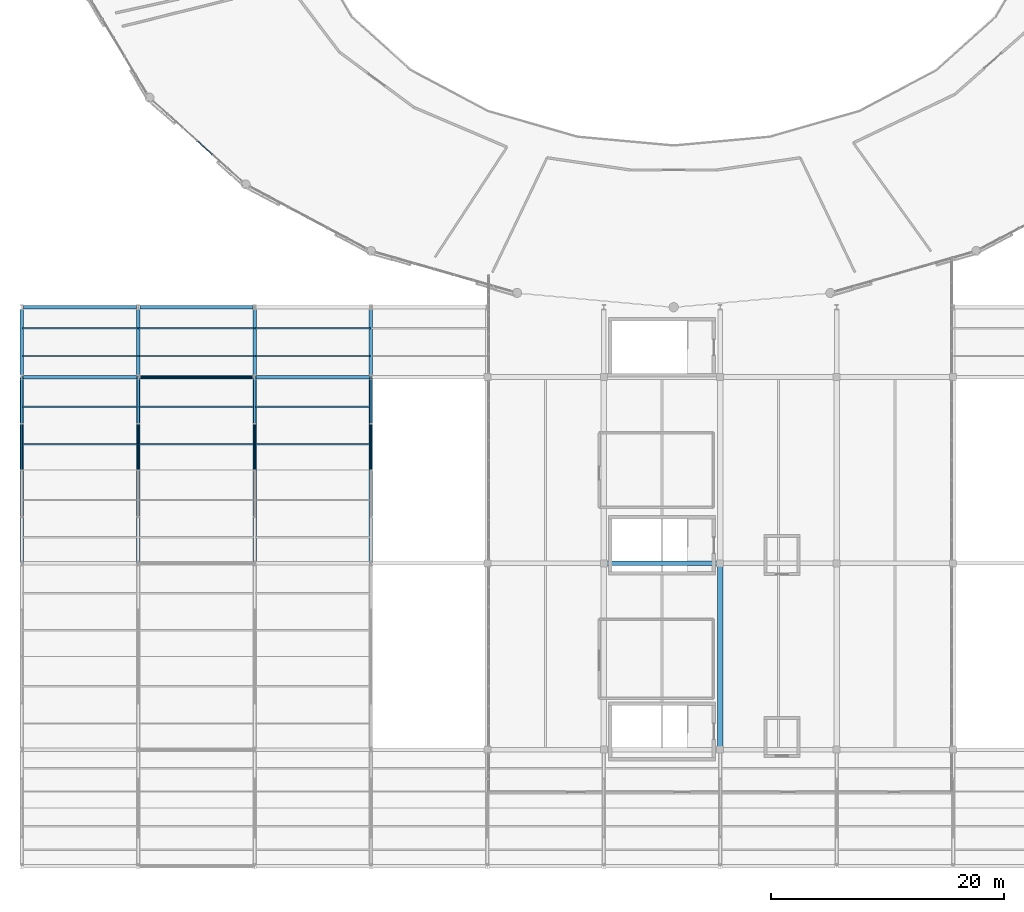
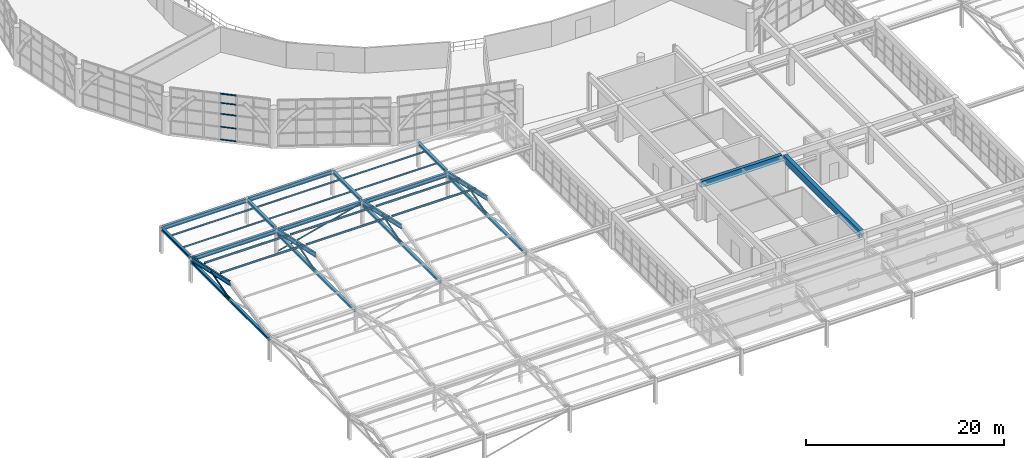
# One storey, part 18 of 109: 26 members, 15 beams, 1 element without a shape of its own.
"""IFC4 building model written with IfcOpenShell, lengths in metres."""

import ifcopenshell
import ifcopenshell.guid

model = None  # the IFC model being written
_history = None  # IfcOwnerHistory: only IFC2X3 demands one
_inside = {}  # id of a spatial element -> (the spatial element, [elements in it])
_under = {}  # id of a project, library or spatial element -> (it, [spatial elements below it])
_declared = {}  # id of a project -> (the project, [libraries it declares])
_typed = {}  # id of a type object -> (the type object, [elements of that type])
_made_of = {}  # id of a material, layer set ... -> (it, [elements and type objects made of it])


def new_model(schema):
    """Start an empty IFC model of exactly this schema.

    Asked for "IFC4X3", IfcOpenShell would pick the latest addendum, in which some entities
    have other attributes; the version numbers below select the first issue.
    IFC2X3 requires an IfcOwnerHistory on every rooted entity: one is made here for all.
    """
    global model, _history
    if schema == "IFC4X3":
        model = ifcopenshell.file(schema_version=(4, 3, 0, 0))
    else:
        model = ifcopenshell.file(schema=schema)
    _inside.clear()
    _under.clear()
    _declared.clear()
    _typed.clear()
    _made_of.clear()
    _history = None
    if model.schema == "IFC2X3":
        org = make("IfcOrganization", Name="unknown")
        user = make(
            "IfcPersonAndOrganization",
            ThePerson=make("IfcPerson", FamilyName="unknown"),
            TheOrganization=org,
        )
        app = make(
            "IfcApplication",
            ApplicationDeveloper=org,
            Version="unknown",
            ApplicationFullName="unknown",
            ApplicationIdentifier="unknown",
        )
        _history = make(
            "IfcOwnerHistory",
            OwningUser=user,
            OwningApplication=app,
            ChangeAction="ADDED",
            CreationDate=0,
        )
    return model


def make(cls, **values):
    """One entity of the class cls with the attributes given. An attribute that is None is left unset."""
    return model.create_entity(
        cls, **{name: value for name, value in values.items() if value is not None}
    )


def rooted(cls, **values):
    """An entity with a GlobalId (a new one), such as an element, a storey or a relation."""
    return make(cls, GlobalId=ifcopenshell.guid.new(), OwnerHistory=_history, **values)


def si_unit(unit_type, name, prefix=None):
    """IfcSIUnit, for example si_unit("LENGTHUNIT", "METRE", prefix="MILLI")."""
    return make("IfcSIUnit", UnitType=unit_type, Prefix=prefix, Name=name)


def assignment(units):
    """IfcUnitAssignment: the units of a project."""
    return None if units is None else make("IfcUnitAssignment", Units=units)


def point(xyz):
    """IfcCartesianPoint."""
    return None if xyz is None else make("IfcCartesianPoint", Coordinates=xyz)


def direction(xyz):
    """IfcDirection."""
    return None if xyz is None else make("IfcDirection", DirectionRatios=xyz)


def frame(location, z_axis=None, x_axis=None):
    """IfcAxis2Placement3D, a coordinate frame: its origin and axes. An axis left out is left unset."""
    return make(
        "IfcAxis2Placement3D",
        Location=point(location),
        Axis=direction(z_axis),
        RefDirection=direction(x_axis),
    )


def frame_2d(location, x_axis=None):
    """IfcAxis2Placement2D, a coordinate frame in the plane: its origin and x axis."""
    return make(
        "IfcAxis2Placement2D", Location=point(location), RefDirection=direction(x_axis)
    )


def origin():
    """The frame at (0, 0, 0) with its axes left unset."""
    return frame((0.0, 0.0, 0.0))


def origin_2d():
    """The frame at (0, 0) in the plane with its x axis left unset."""
    return frame_2d((0.0, 0.0))


def place(relative_to, where):
    """IfcLocalPlacement: puts the frame where relative to a parent placement (None: the world)."""
    return make(
        "IfcLocalPlacement", PlacementRelTo=relative_to, RelativePlacement=where
    )


def context(
    kind, dimensions, precision=None, world=None, true_north=None, identifier=None
):
    """IfcGeometricRepresentationContext, for example the 3D "Model" context."""
    return make(
        "IfcGeometricRepresentationContext",
        ContextIdentifier=identifier,
        ContextType=kind,
        CoordinateSpaceDimension=dimensions,
        Precision=precision,
        WorldCoordinateSystem=world,
        TrueNorth=true_north,
    )


def subcontext(parent, identifier, kind, view, scale=None):
    """IfcGeometricRepresentationSubContext, for example "Body" below "Model"."""
    return make(
        "IfcGeometricRepresentationSubContext",
        ContextIdentifier=identifier,
        ContextType=kind,
        ParentContext=parent,
        TargetScale=scale,
        TargetView=view,
    )


def project(units=None, contexts=None):
    """IfcProject with its units and contexts."""
    return rooted(
        "IfcProject",
        Name="project",
        RepresentationContexts=contexts,
        UnitsInContext=assignment(units),
    )


def spatial(cls, under=None, at=None, **own):
    """A site, building, storey or space (cls), placed at a placement, below another one or the project."""
    s = rooted(cls, ObjectPlacement=at, **own)
    if under is not None:
        _under.setdefault(under.id(), (under, []))[1].append(s)
    return s


def profile(cls, at=None, kind="AREA", **sizes):
    """A parametric profile (cls). Its sizes go by their IFC names, for example OverallWidth=200.0."""
    return make(cls, ProfileType=kind, Position=at, **sizes)


def rectangle(**sizes):
    """IfcRectangleProfileDef."""
    return profile("IfcRectangleProfileDef", **sizes)


def hollow_rectangle(**sizes):
    """IfcRectangleHollowProfileDef."""
    return profile("IfcRectangleHollowProfileDef", **sizes)


def hollow_circle(**sizes):
    """IfcCircleHollowProfileDef."""
    return profile("IfcCircleHollowProfileDef", **sizes)


def i_section(**sizes):
    """IfcIShapeProfileDef."""
    return profile("IfcIShapeProfileDef", **sizes)


def extrude(swept, where, along, depth):
    """IfcExtrudedAreaSolid: the profile swept, set in the frame where, extruded along a direction by depth."""
    return make(
        "IfcExtrudedAreaSolid",
        SweptArea=swept,
        Position=where,
        ExtrudedDirection=direction(along),
        Depth=depth,
    )


def shape(context_of_items, identifier, shape_type, items):
    """IfcShapeRepresentation: the items that make up one representation, for example the "Body"."""
    return make(
        "IfcShapeRepresentation",
        ContextOfItems=context_of_items,
        RepresentationIdentifier=identifier,
        RepresentationType=shape_type,
        Items=items,
    )


def material(Name=None, Category=None):
    """IfcMaterial."""
    return make("IfcMaterial", Name=Name, Category=Category)


def layer(
    of_material, thickness, ventilated=None, Name=None, Category=None, Priority=None
):
    """IfcMaterialLayer: one layer of a wall or slab, of a material (None: an air gap)."""
    return make(
        "IfcMaterialLayer",
        Material=of_material,
        LayerThickness=thickness,
        IsVentilated=ventilated,
        Name=Name,
        Category=Category,
        Priority=Priority,
    )


def layer_set(layers, Name=None):
    """IfcMaterialLayerSet."""
    return make("IfcMaterialLayerSet", MaterialLayers=layers, LayerSetName=Name)


def material_profile(
    of_material, cross_section, Name=None, Category=None, Priority=None
):
    """IfcMaterialProfile: a cross section and its material."""
    return make(
        "IfcMaterialProfile",
        Name=Name,
        Material=of_material,
        Profile=cross_section,
        Priority=Priority,
        Category=Category,
    )


def profile_set(profiles, Name=None, composite=None):
    """IfcMaterialProfileSet."""
    return make(
        "IfcMaterialProfileSet",
        Name=Name,
        MaterialProfiles=profiles,
        CompositeProfile=composite,
    )


def made_of(thing, what):
    """Note that an element or type object is made of a material, layer set ...; save() writes the relation."""
    if what is not None:
        _made_of.setdefault(what.id(), (what, []))[1].append(thing)
    return thing


def type_object(cls, material=None, **own):
    """A type object (cls), such as IfcWallType, which elements share."""
    return made_of(rooted(cls, **own), material)


def element(
    cls,
    number,
    at=None,
    inside=None,
    cuts=None,
    type_object=None,
    material=None,
    context=None,
    identifier="Body",
    shape_type=None,
    held_by="IfcProductDefinitionShape",
    body=None,
    shapes=None,
    **own,
):
    """One element of the class cls, such as IfcWall. Its Tag is "e" and its number.

    at: its placement. inside: the storey or other place that contains it. cuts: it is an
    opening in that element (IfcRelVoidsElement). A single representation is given by context,
    identifier, shape_type and body (its items); several are given by shapes. held_by: the class
    of the entity that holds the representations. save() writes the other relations.
    """
    e = rooted(cls, Tag="e%d" % number, ObjectPlacement=at, **own)
    if body is not None:
        shapes = [shape(context, identifier, shape_type, body)]
    if shapes is not None:
        e.Representation = make(held_by, Representations=shapes)
    if inside is not None:
        _inside.setdefault(inside.id(), (inside, []))[1].append(e)
    if cuts is not None:
        rooted(
            "IfcRelVoidsElement", RelatingBuildingElement=cuts, RelatedOpeningElement=e
        )
    if type_object is not None:
        _typed.setdefault(type_object.id(), (type_object, []))[1].append(e)
    return made_of(e, material)


def aggregate(whole, parts):
    """IfcRelAggregates: a whole, such as a stair, and the parts it consists of."""
    return rooted("IfcRelAggregates", RelatingObject=whole, RelatedObjects=parts)


def save(model, path):
    """Write the relations noted so far, then the file.

    IfcRelAggregates (storeys below a building ...), IfcRelContainedInSpatialStructure (elements
    in a storey), IfcRelDefinesByType, IfcRelAssociatesMaterial and IfcRelDeclares: one each for
    every whole, place, type object, material and project.
    """
    for whole, parts in _under.values():
        aggregate(whole, parts)
    for where, things in _inside.values():
        rooted(
            "IfcRelContainedInSpatialStructure",
            RelatedElements=things,
            RelatingStructure=where,
        )
    for kind, things in _typed.values():
        rooted("IfcRelDefinesByType", RelatedObjects=things, RelatingType=kind)
    for what, things in _made_of.values():
        rooted("IfcRelAssociatesMaterial", RelatedObjects=things, RelatingMaterial=what)
    for by, libraries in _declared.values():
        rooted("IfcRelDeclares", RelatingContext=by, RelatedDefinitions=libraries)
    model.write(path)


model = new_model("IFC4")

# Units and contexts
model_context = context("Model", 3, precision=1e-05, world=origin(), true_north=direction((0.0, 1.0)))
body_context = subcontext(model_context, "Body", "Model", "MODEL_VIEW")
ifc_project = project(units=[si_unit("LENGTHUNIT", "METRE"), si_unit("AREAUNIT", "SQUARE_METRE"), si_unit("VOLUMEUNIT", "CUBIC_METRE"), si_unit("PLANEANGLEUNIT", "RADIAN"), si_unit("MASSUNIT", "GRAM", prefix="KILO")], contexts=[model_context])

# Site, building, storey
site_placement = place(None, origin())
site = spatial("IfcSite", under=ifc_project, at=site_placement, CompositionType="ELEMENT")
building_placement = place(site_placement, origin())
building = spatial("IfcBuilding", under=site, at=building_placement, Name="Kivolera Central Railway Station", CompositionType="ELEMENT")
storey_placement = place(building_placement, frame((0.0, 0.0, 9.60009765625)))
storey = spatial("IfcBuildingStorey", under=building, at=storey_placement, Name="L02", CompositionType="ELEMENT", Elevation=9.60009765625)

# Beams
ifc_material_1 = material(Name="Concrete C40/50", Category="concrete")
ifc_material_profile_1 = material_profile(ifc_material_1, rectangle(XDim=0.39990234375, YDim=0.75, at=origin_2d()), Name="RC 400x750")
ifc_profile_set_1 = profile_set([ifc_material_profile_1], Name="Concrete C40/50")
beam_type_1 = type_object("IfcBeamType", Name="BM-RC-400x750", PredefinedType="BEAM", material=ifc_profile_set_1)
beam_1_placement = place(storey_placement, frame((58.287109375, 32.0, 4.224853515625), z_axis=(1.0, 0.0, 0.0), x_axis=(0.0, 1.0, 0.0)))
element("IfcBeam", 1, at=beam_1_placement, inside=storey, type_object=beam_type_1, Name="L02 Over-Track Bridge Transverse Girder C:6-7", PredefinedType="BEAM", context=body_context, shape_type="SweptSolid", body=[
    extrude(rectangle(XDim=0.39990234375, YDim=0.75, at=origin_2d()), origin(), (0.0, 0.0, 1.0), 9.42578125),
])
ifc_material_profile_2 = material_profile(ifc_material_1, rectangle(XDim=0.449951171875, YDim=0.85009765625, at=origin_2d()), Name="RC 450x850")
ifc_profile_set_2 = profile_set([ifc_material_profile_2], Name="Concrete C40/50")
beam_type_2 = type_object("IfcBeamType", Name="BM-RC-450x850", PredefinedType="BEAM", material=ifc_profile_set_2)
beam_2_placement = place(storey_placement, frame((68.0, 16.287109375, 4.1748046875), z_axis=(0.0, 1.0, 0.0), x_axis=(-1.0, 0.0, 0.0)))
element("IfcBeam", 2, at=beam_2_placement, inside=storey, type_object=beam_type_2, Name="L02 Over-Track Concourse Bridge Girder 7:B-C", PredefinedType="BEAM", context=body_context, shape_type="SweptSolid", body=[
    extrude(rectangle(XDim=0.449951171875, YDim=0.85009765625, at=origin_2d()), origin(), (0.0, 0.0, 1.0), 15.42578125),
])
ifc_material_2 = material(Name="Steel S355", Category="steel")
ifc_material_profile_3 = material_profile(ifc_material_2, i_section(OverallWidth=0.300048828125, OverallDepth=0.389892578125, WebThickness=0.010986328125, FlangeThickness=0.01904296875, FilletRadius=0.027099609375, at=origin_2d()), Name="HEA 400")
ifc_profile_set_3 = profile_set([ifc_material_profile_3], Name="Steel S355")
beam_type_3 = type_object("IfcBeamType", Name="BM-SHD-HEA400", PredefinedType="BEAM", material=ifc_profile_set_3)
for number, where, z_axis, x_axis, name in (
    (3, (8.0, 48.14208984375, 3.054931640625), (0.0, 1.0, 0.0), (-1.0, 0.0, 0.0), "Train Shed Threshold Canopy Rafter DE-1"),
    (4, (18.0, 48.14208984375, 3.054931640625), (0.0, 1.0, 0.0), (-1.0, 0.0, 0.0), "Train Shed Threshold Canopy Rafter DE-2"),
    (5, (28.0, 48.14208984375, 3.054931640625), (0.0, 1.0, 0.0), (-1.0, 0.0, 0.0), "Train Shed Threshold Canopy Rafter DE-3"),
    (6, (38.0, 48.14208984375, 3.054931640625), (0.0, 1.0, 0.0), (-1.0, 0.0, 0.0), "Train Shed Threshold Canopy Rafter DE-4"),
):
    element("IfcBeam", number, at=place(storey_placement, frame(where, z_axis=z_axis, x_axis=x_axis)), inside=storey, type_object=beam_type_3, Name=name, PredefinedType="BEAM", context=body_context, shape_type="SweptSolid", body=[
        extrude(i_section(OverallWidth=0.300048828125, OverallDepth=0.389892578125, WebThickness=0.010986328125, FlangeThickness=0.01904296875, FilletRadius=0.027099609375, at=origin_2d()), origin(), (0.0, 0.0, 1.0), 5.7158203125),
    ])
ifc_material_profile_4 = material_profile(ifc_material_2, i_section(OverallWidth=0.300048828125, OverallDepth=0.489990234375, WebThickness=0.011962890625, FlangeThickness=0.02294921875, FilletRadius=0.027099609375, at=origin_2d()), Name="HEA 500")
ifc_profile_set_4 = profile_set([ifc_material_profile_4], Name="Steel S355")
beam_type_4 = type_object("IfcBeamType", Name="BM-SHD-HEA500", PredefinedType="BEAM", material=ifc_profile_set_4)
for number, where, z_axis, x_axis, name in (
    (7, (8.136962890625, 48.0, 2.81982421875), (1.0, 0.0, 0.0), (0.0, 1.0, 0.0), "Train Shed Eave Girder D:1-2"),
    (8, (18.136962890625, 48.0, 2.81982421875), (1.0, 0.0, 0.0), (0.0, 1.0, 0.0), "Train Shed Eave Girder D:2-3"),
    (9, (28.136962890625, 48.0, 2.81982421875), (1.0, 0.0, 0.0), (0.0, 1.0, 0.0), "Train Shed Eave Girder D:3-4"),
    (10, (8.136962890625, 54.0, 3.0048828125), (1.0, 0.0, 0.0), (0.0, 1.0, 0.0), "Train Shed Eave Girder E:1-2"),
    (11, (18.136962890625, 54.0, 3.0048828125), (1.0, 0.0, 0.0), (0.0, 1.0, 0.0), "Train Shed Eave Girder E:2-3"),
):
    element("IfcBeam", number, at=place(storey_placement, frame(where, z_axis=z_axis, x_axis=x_axis)), inside=storey, type_object=beam_type_4, Name=name, PredefinedType="BEAM", context=body_context, shape_type="SweptSolid", body=[
        extrude(i_section(OverallWidth=0.300048828125, OverallDepth=0.489990234375, WebThickness=0.011962890625, FlangeThickness=0.02294921875, FilletRadius=0.027099609375, at=origin_2d()), origin(), (0.0, 0.0, 1.0), 9.72607421875),
    ])
ifc_material_profile_5 = material_profile(ifc_material_2, i_section(OverallWidth=0.209228515625, OverallDepth=0.533203125, WebThickness=0.010009765625, FlangeThickness=0.015625, FilletRadius=0.0126953125, at=origin_2d()), Name="UB 533x210x92")
ifc_profile_set_5 = profile_set([ifc_material_profile_5], Name="Steel S355")
beam_type_5 = type_object("IfcBeamType", Name="BM-SHD-UB533", PredefinedType="BEAM", material=ifc_profile_set_5)
for number, where, z_axis, x_axis, name in (
    (12, (8.0, 40.0, 4.684814453125), (0.0, 0.97664421653, -0.214862919829), (-1.0, 0.0, 0.0), "Train Shed Roof Truss Top Rafter CD-1N"),
    (13, (18.0, 40.0, 4.684814453125), (0.0, 0.97664421653, -0.214862919829), (-1.0, 0.0, 0.0), "Train Shed Roof Truss Top Rafter CD-2N"),
    (14, (28.0, 40.0, 4.684814453125), (0.0, 0.97664421653, -0.214862919829), (-1.0, 0.0, 0.0), "Train Shed Roof Truss Top Rafter CD-3N"),
    (15, (38.0, 40.0, 4.684814453125), (0.0, 0.97664421653, -0.214862919829), (-1.0, 0.0, 0.0), "Train Shed Roof Truss Top Rafter CD-4N"),
):
    element("IfcBeam", number, at=place(storey_placement, frame(where, z_axis=z_axis, x_axis=x_axis)), inside=storey, type_object=beam_type_5, Name=name, PredefinedType="BEAM", context=body_context, shape_type="SweptSolid", body=[
        extrude(i_section(OverallWidth=0.209228515625, OverallDepth=0.533203125, WebThickness=0.010009765625, FlangeThickness=0.015625, FilletRadius=0.0126953125, at=origin_2d()), origin(), (0.0, 0.0, 1.0), 8.19140625),
    ])

# Curtain wall, members
ifc_material_3 = material(Name="Anodised aluminium", Category="aluminium")
ifc_layer = layer(ifc_material_3, 0.179931640625, Name="Anodised aluminium")
ifc_layer_set = layer_set([ifc_layer], Name="Anodised aluminium")
curtain_wall_type = type_object("IfcCurtainWallType", Name="CW-SYS-06", PredefinedType="NOTDEFINED", material=ifc_layer_set)
curtain_wall_placement = place(storey_placement, origin())
curtain_wall = element("IfcCurtainWall", 16, at=curtain_wall_placement, inside=storey, type_object=curtain_wall_type, Name="L02 Curtain Wall CW-L02-OVL-14", PredefinedType="NOTDEFINED")
ifc_material_profile_6 = material_profile(ifc_material_3, rectangle(XDim=0.070068359375, YDim=0.139892578125, at=origin_2d()), Name="ALU TRAN 70x140")
ifc_profile_set_6 = profile_set([ifc_material_profile_6], Name="Anodised aluminium")
member_type_1 = type_object("IfcMemberType", Name="CWM-TRN-1", PredefinedType="USERDEFINED", material=ifc_profile_set_6)
member_1_placement = place(storey_placement, frame((24.3505859375, 67.14208984375, 0.034912109375), z_axis=(-0.742396704206, 0.669960546289, 0.0), x_axis=(-0.669960546289, -0.742396704206, 0.0)))
member_1 = element("IfcMember", 17, at=member_1_placement, type_object=member_type_1, Name="CW-06 transom 3.1", ObjectType="TRANSOM", PredefinedType="USERDEFINED", context=body_context, shape_type="SweptSolid", body=[
    extrude(rectangle(XDim=0.070068359375, YDim=0.139892578125, at=origin_2d()), origin(), (0.0, 0.0, 1.0), 1.651611328125),
])
member_2_placement = place(storey_placement, frame((24.3505859375, 67.14208984375, 1.599853515625), z_axis=(-0.742396704206, 0.669960546289, 0.0), x_axis=(-0.669960546289, -0.742396704206, 0.0)))
member_2 = element("IfcMember", 18, at=member_2_placement, type_object=member_type_1, Name="CW-06 transom 3.2", ObjectType="TRANSOM", PredefinedType="USERDEFINED", context=body_context, shape_type="SweptSolid", body=[
    extrude(rectangle(XDim=0.070068359375, YDim=0.139892578125, at=origin_2d()), origin(), (0.0, 0.0, 1.0), 1.651611328125),
])
member_3_placement = place(storey_placement, frame((24.3505859375, 67.14208984375, 3.199951171875), z_axis=(-0.742396704206, 0.669960546289, 0.0), x_axis=(-0.669960546289, -0.742396704206, 0.0)))
member_3 = element("IfcMember", 19, at=member_3_placement, type_object=member_type_1, Name="CW-06 transom 3.3", ObjectType="TRANSOM", PredefinedType="USERDEFINED", context=body_context, shape_type="SweptSolid", body=[
    extrude(rectangle(XDim=0.070068359375, YDim=0.139892578125, at=origin_2d()), origin(), (0.0, 0.0, 1.0), 1.651611328125),
])
member_4_placement = place(storey_placement, frame((24.3505859375, 67.14208984375, 4.5498046875), z_axis=(-0.742396704206, 0.669960546289, 0.0), x_axis=(-0.669960546289, -0.742396704206, 0.0)))
member_4 = element("IfcMember", 20, at=member_4_placement, type_object=member_type_1, Name="CW-06 transom 3.4", ObjectType="TRANSOM", PredefinedType="USERDEFINED", context=body_context, shape_type="SweptSolid", body=[
    extrude(rectangle(XDim=0.070068359375, YDim=0.139892578125, at=origin_2d()), origin(), (0.0, 0.0, 1.0), 1.651611328125),
])
member_5_placement = place(storey_placement, frame((24.3505859375, 67.14208984375, 5.664794921875), z_axis=(-0.742396704206, 0.669960546289, 0.0), x_axis=(-0.669960546289, -0.742396704206, 0.0)))
member_5 = element("IfcMember", 21, at=member_5_placement, type_object=member_type_1, Name="CW-06 transom 3.5", ObjectType="TRANSOM", PredefinedType="USERDEFINED", context=body_context, shape_type="SweptSolid", body=[
    extrude(rectangle(XDim=0.070068359375, YDim=0.139892578125, at=origin_2d()), origin(), (0.0, 0.0, 1.0), 1.651611328125),
])
aggregate(curtain_wall, [member_1, member_2, member_3, member_4, member_5])

# Members
ifc_material_profile_7 = material_profile(ifc_material_2, hollow_circle(Radius=0.084228515625, WallThickness=0.008056640625, at=origin_2d()), Name="CHS 168.3x8")
ifc_profile_set_7 = profile_set([ifc_material_profile_7], Name="Steel S355")
member_type_2 = type_object("IfcMemberType", Name="MEM-BRC-CHS168", PredefinedType="BRACE", material=ifc_profile_set_7)
member_6_placement = place(storey_placement, frame((18.126953125, 48.0, 0.25), z_axis=(0.96863991136, 0.0, 0.248468754818), x_axis=(0.0, 1.0, 0.0)))
element("IfcMember", 22, at=member_6_placement, inside=storey, type_object=member_type_2, Name="Train Shed Longitudinal Portal Brace D:2-3", PredefinedType="BRACE", context=body_context, shape_type="SweptSolid", body=[
    extrude(hollow_circle(Radius=0.084228515625, WallThickness=0.008056640625, at=origin_2d()), origin(), (0.0, 0.0, 1.0), 10.0615234375),
])
ifc_material_profile_8 = material_profile(ifc_material_2, i_section(OverallWidth=0.300048828125, OverallDepth=0.300048828125, WebThickness=0.010986328125, FlangeThickness=0.01904296875, FilletRadius=0.027099609375, at=origin_2d()), Name="HEB 300")
ifc_profile_set_8 = profile_set([ifc_material_profile_8], Name="Steel S355")
member_type_3 = type_object("IfcMemberType", Name="MEM-CHD-HEB300", PredefinedType="CHORD", material=ifc_profile_set_8)
for number, where, z_axis, x_axis, name in (
    (23, (8.0, 32.080078125, 2.619873046875), (0.0, 1.0, 0.0), (-1.0, 0.0, 0.0), "Train Shed Roof Truss Bottom Tie Chord CD-1"),
    (24, (18.0, 32.080078125, 2.619873046875), (0.0, 1.0, 0.0), (-1.0, 0.0, 0.0), "Train Shed Roof Truss Bottom Tie Chord CD-2"),
    (25, (28.0, 32.080078125, 2.619873046875), (0.0, 1.0, 0.0), (-1.0, 0.0, 0.0), "Train Shed Roof Truss Bottom Tie Chord CD-3"),
    (26, (38.0, 32.080078125, 2.619873046875), (0.0, 1.0, 0.0), (-1.0, 0.0, 0.0), "Train Shed Roof Truss Bottom Tie Chord CD-4"),
):
    element("IfcMember", number, at=place(storey_placement, frame(where, z_axis=z_axis, x_axis=x_axis)), inside=storey, type_object=member_type_3, Name=name, PredefinedType="CHORD", context=body_context, shape_type="SweptSolid", body=[
        extrude(i_section(OverallWidth=0.300048828125, OverallDepth=0.300048828125, WebThickness=0.010986328125, FlangeThickness=0.01904296875, FilletRadius=0.027099609375, at=origin_2d()), origin(), (0.0, 0.0, 1.0), 15.83984375),
    ])
ifc_material_profile_9 = material_profile(ifc_material_2, i_section(OverallWidth=0.10009765625, OverallDepth=0.199951171875, WebThickness=0.005615234375, FlangeThickness=0.008544921875, FilletRadius=0.011962890625, at=origin_2d()), Name="IPE 200")
ifc_profile_set_9 = profile_set([ifc_material_profile_9], Name="Steel S355")
member_type_4 = type_object("IfcMemberType", Name="MEM-PUR-IPE200", PredefinedType="PURLIN", material=ifc_profile_set_9)
for number, where, z_axis, x_axis, name in (
    (27, (8.050048828125, 49.800048828125, 3.14794921875), (1.0, 0.0, 0.0), (0.0, 1.0, 0.0), "Train Shed Threshold Purlin DE-01-1"),
    (28, (8.050048828125, 52.199951171875, 3.14794921875), (1.0, 0.0, 0.0), (0.0, 1.0, 0.0), "Train Shed Threshold Purlin DE-01-2"),
    (29, (18.050048828125, 49.800048828125, 3.14794921875), (1.0, 0.0, 0.0), (0.0, 1.0, 0.0), "Train Shed Threshold Purlin DE-02-1"),
    (30, (18.050048828125, 52.199951171875, 3.14794921875), (1.0, 0.0, 0.0), (0.0, 1.0, 0.0), "Train Shed Threshold Purlin DE-02-2"),
    (31, (28.050048828125, 49.800048828125, 3.14794921875), (1.0, 0.0, 0.0), (0.0, 1.0, 0.0), "Train Shed Threshold Purlin DE-03-1"),
    (32, (28.050048828125, 52.199951171875, 3.14794921875), (1.0, 0.0, 0.0), (0.0, 1.0, 0.0), "Train Shed Threshold Purlin DE-03-2"),
):
    element("IfcMember", number, at=place(storey_placement, frame(where, z_axis=z_axis, x_axis=x_axis)), inside=storey, type_object=member_type_4, Name=name, PredefinedType="PURLIN", context=body_context, shape_type="SweptSolid", body=[
        extrude(i_section(OverallWidth=0.10009765625, OverallDepth=0.199951171875, WebThickness=0.005615234375, FlangeThickness=0.008544921875, FilletRadius=0.011962890625, at=origin_2d()), origin(), (0.0, 0.0, 1.0), 9.89990234375),
    ])
ifc_material_profile_10 = material_profile(ifc_material_2, i_section(OverallWidth=0.1201171875, OverallDepth=0.239990234375, WebThickness=0.006103515625, FlangeThickness=0.009765625, FilletRadius=0.014892578125, at=origin_2d()), Name="IPE 240")
ifc_profile_set_10 = profile_set([ifc_material_profile_10], Name="Steel S355")
member_type_5 = type_object("IfcMemberType", Name="MEM-PUR-IPE240", PredefinedType="PURLIN", material=ifc_profile_set_10)
for number, where, z_axis, x_axis, name in (
    (33, (8.080078125, 42.239990234375, 4.572021484375), (1.0, 0.0, 0.0), (0.0, 1.0, 0.0), "Train Shed Roof Purlin CD-01-N1"),
    (34, (8.080078125, 45.43994140625, 3.867919921875), (1.0, 0.0, 0.0), (0.0, 1.0, 0.0), "Train Shed Roof Purlin CD-01-N2"),
    (35, (18.080078125, 42.239990234375, 4.572021484375), (1.0, 0.0, 0.0), (0.0, 1.0, 0.0), "Train Shed Roof Purlin CD-02-N1"),
    (36, (18.080078125, 45.43994140625, 3.867919921875), (1.0, 0.0, 0.0), (0.0, 1.0, 0.0), "Train Shed Roof Purlin CD-02-N2"),
    (37, (28.080078125, 42.239990234375, 4.572021484375), (1.0, 0.0, 0.0), (0.0, 1.0, 0.0), "Train Shed Roof Purlin CD-03-N1"),
    (38, (28.080078125, 45.43994140625, 3.867919921875), (1.0, 0.0, 0.0), (0.0, 1.0, 0.0), "Train Shed Roof Purlin CD-03-N2"),
):
    element("IfcMember", number, at=place(storey_placement, frame(where, z_axis=z_axis, x_axis=x_axis)), inside=storey, type_object=member_type_5, Name=name, PredefinedType="PURLIN", context=body_context, shape_type="SweptSolid", body=[
        extrude(i_section(OverallWidth=0.1201171875, OverallDepth=0.239990234375, WebThickness=0.006103515625, FlangeThickness=0.009765625, FilletRadius=0.014892578125, at=origin_2d()), origin(), (0.0, 0.0, 1.0), 9.83984375),
    ])
ifc_material_profile_11 = material_profile(ifc_material_2, hollow_rectangle(XDim=0.10009765625, YDim=0.199951171875, WallThickness=0.010009765625, at=origin_2d()), Name="RHS 200x100x10")
ifc_profile_set_11 = profile_set([ifc_material_profile_11], Name="Steel S355")
member_type_6 = type_object("IfcMemberType", Name="MEM-STR-RHS200", PredefinedType="STRUT", material=ifc_profile_set_11)
for number, where, z_axis, x_axis, name in (
    (39, (8.0, 40.0, 2.619873046875), (0.0, 0.958806377549, 0.284060434364), (-1.0, 0.0, 0.0), "Train Shed Truss Web Strut CD-1-2"),
    (40, (18.0, 40.0, 2.619873046875), (0.0, 0.958806377549, 0.284060434364), (-1.0, 0.0, 0.0), "Train Shed Truss Web Strut CD-2-2"),
    (41, (28.0, 40.0, 2.619873046875), (0.0, 0.958806377549, 0.284060434364), (-1.0, 0.0, 0.0), "Train Shed Truss Web Strut CD-3-2"),
    (42, (38.0, 40.0, 2.619873046875), (0.0, 0.958806377549, 0.284060434364), (-1.0, 0.0, 0.0), "Train Shed Truss Web Strut CD-4-2"),
):
    element("IfcMember", number, at=place(storey_placement, frame(where, z_axis=z_axis, x_axis=x_axis)), inside=storey, type_object=member_type_6, Name=name, PredefinedType="STRUT", context=body_context, shape_type="SweptSolid", body=[
        extrude(hollow_rectangle(XDim=0.10009765625, YDim=0.199951171875, WallThickness=0.010009765625, at=origin_2d()), origin(), (0.0, 0.0, 1.0), 4.171875),
    ])

save(model, "model.ifc")
